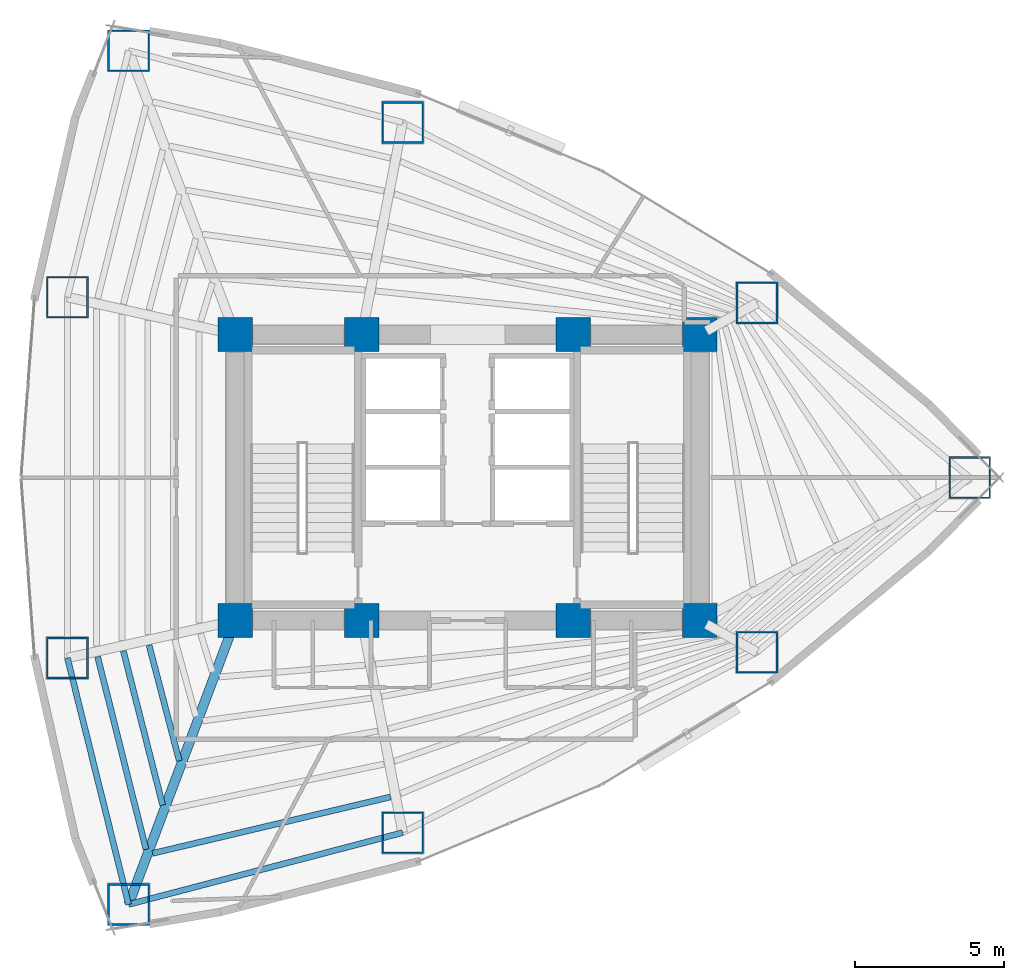
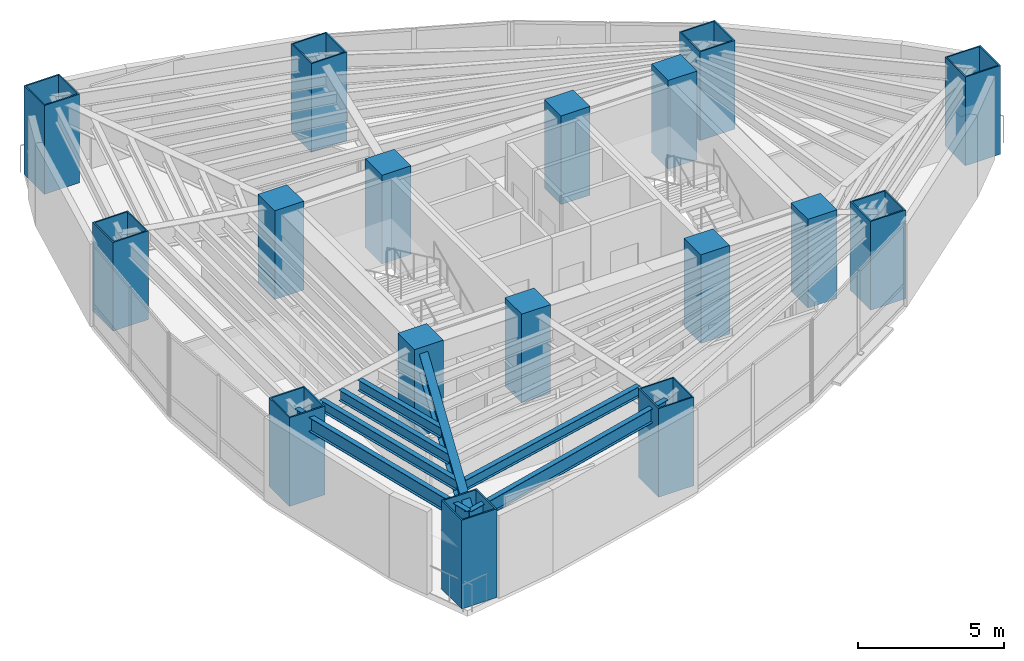
# One storey, part 1 of 18: 17 columns, 7 beams.
"""IFC4 building model written with IfcOpenShell, lengths in metres."""

from ifc_helpers import new_model, si_unit, direction, frame, origin, origin_2d, place, context, subcontext, project, spatial, rectangle, hollow_rectangle, i_section, extrude, material, material_profile, profile_set, type_object, element, save


model = new_model("IFC4")

# Units and contexts
model_context = context("Model", 3, precision=1e-05, world=origin(), true_north=direction((0.0, 1.0)))
body_context = subcontext(model_context, "Body", "Model", "MODEL_VIEW")
ifc_project = project(units=[si_unit("LENGTHUNIT", "METRE"), si_unit("AREAUNIT", "SQUARE_METRE"), si_unit("VOLUMEUNIT", "CUBIC_METRE"), si_unit("PLANEANGLEUNIT", "RADIAN"), si_unit("MASSUNIT", "GRAM", prefix="KILO")], contexts=[model_context])

# Site, building, storey
site_placement = place(None, origin())
site = spatial("IfcSite", under=ifc_project, at=site_placement, CompositionType="ELEMENT")
building_placement = place(site_placement, origin())
building = spatial("IfcBuilding", under=site, at=building_placement, Name="Menara Vayukalpa", CompositionType="ELEMENT")
storey_placement = place(building_placement, frame((0.0, 0.0, 31.320068359375)))
storey = spatial("IfcBuildingStorey", under=building, at=storey_placement, Name="L06", CompositionType="ELEMENT", Elevation=31.320068359375)

# Columns
ifc_material_1 = material(Name="Concrete C80/95", Category="concrete")
ifc_material_profile_1 = material_profile(ifc_material_1, rectangle(XDim=1.14990234375, YDim=1.14990234375, at=origin_2d()), Name="RC 1150x1150")
ifc_profile_set_1 = profile_set([ifc_material_profile_1], Name="Concrete C80/95")
column_type_1 = type_object("IfcColumnType", Name="COL-CC1", PredefinedType="COLUMN", material=ifc_profile_set_1)
for number, where, z_axis, x_axis, name in (
    (1, (17.800048828125, 17.199951171875, 0.0), (0.0, 0.0, 1.0), (1.0, 0.0, 0.0), "L06 Core Pilaster Column CC1"),
    (2, (22.050048828125, 17.199951171875, 0.0), (0.0, 0.0, 1.0), (1.0, 0.0, 0.0), "L06 Core Pilaster Column CC2"),
    (3, (29.14990234375, 17.199951171875, 0.0), (0.0, 0.0, 1.0), (1.0, 0.0, 0.0), "L06 Core Pilaster Column CC3"),
    (4, (33.39990234375, 17.199951171875, 0.0), (0.0, 0.0, 1.0), (1.0, 0.0, 0.0), "L06 Core Pilaster Column CC4"),
    (5, (17.800048828125, 26.800048828125, 0.0), (0.0, 0.0, 1.0), (1.0, 0.0, 0.0), "L06 Core Pilaster Column CC5"),
    (6, (22.050048828125, 26.800048828125, 0.0), (0.0, 0.0, 1.0), (1.0, 0.0, 0.0), "L06 Core Pilaster Column CC6"),
    (7, (29.14990234375, 26.800048828125, 0.0), (0.0, 0.0, 1.0), (1.0, 0.0, 0.0), "L06 Core Pilaster Column CC7"),
    (8, (33.39990234375, 26.800048828125, 0.0), (0.0, 0.0, 1.0), (1.0, 0.0, 0.0), "L06 Core Pilaster Column CC8"),
):
    element("IfcColumn", number, at=place(storey_placement, frame(where, z_axis=z_axis, x_axis=x_axis)), inside=storey, type_object=column_type_1, Name=name, PredefinedType="COLUMN", context=body_context, shape_type="SweptSolid", body=[
        extrude(rectangle(XDim=1.14990234375, YDim=1.14990234375, at=origin_2d()), origin(), (0.0, 0.0, 1.0), 3.719970703125),
    ])
ifc_material_2 = material(Name="Steel S460", Category="steel")
ifc_material_profile_2 = material_profile(ifc_material_2, hollow_rectangle(XDim=1.39990234375, YDim=1.39990234375, WallThickness=0.054931640625, at=origin_2d()), Name="BOX 1400x1400x55")
ifc_profile_set_2 = profile_set([ifc_material_profile_2], Name="Steel S460")
column_type_2 = type_object("IfcColumnType", Name="COL-MC1", PredefinedType="COLUMN", material=ifc_profile_set_2)
for number, where, z_axis, x_axis, name in (
    (9, (42.46484375, 22.0, 0.0), (0.0, 0.0, 1.0), (1.0, 0.0, 0.0), "L06 Perimeter Mega Column P01"),
    (10, (35.318115234375, 27.86328125, 0.0), (0.0, 0.0, 1.0), (1.0, 0.0, 0.0), "L06 Perimeter Mega Column P02"),
    (11, (23.41943359375, 33.9228515625, 0.0), (0.0, 0.0, 1.0), (1.0, 0.0, 0.0), "L06 Perimeter Mega Column P03"),
    (12, (14.217529296875, 36.33447265625, 0.0), (0.0, 0.0, 1.0), (1.0, 0.0, 0.0), "L06 Perimeter Mega Column P04"),
    (13, (12.164306640625, 28.0595703125, 0.0), (0.0, 0.0, 1.0), (1.0, 0.0, 0.0), "L06 Perimeter Mega Column P05"),
    (14, (12.164306640625, 15.9404296875, 0.0), (0.0, 0.0, 1.0), (1.0, 0.0, 0.0), "L06 Perimeter Mega Column P06"),
    (15, (14.217529296875, 7.66552734375, 0.0), (0.0, 0.0, 1.0), (1.0, 0.0, 0.0), "L06 Perimeter Mega Column P07"),
    (16, (23.41943359375, 10.0771484375, 0.0), (0.0, 0.0, 1.0), (1.0, 0.0, 0.0), "L06 Perimeter Mega Column P08"),
    (17, (35.318115234375, 16.13671875, 0.0), (0.0, 0.0, 1.0), (1.0, 0.0, 0.0), "L06 Perimeter Mega Column P09"),
):
    element("IfcColumn", number, at=place(storey_placement, frame(where, z_axis=z_axis, x_axis=x_axis)), inside=storey, type_object=column_type_2, Name=name, PredefinedType="COLUMN", context=body_context, shape_type="SweptSolid", body=[
        extrude(hollow_rectangle(XDim=1.39990234375, YDim=1.39990234375, WallThickness=0.054931640625, at=origin_2d()), origin(), (0.0, 0.0, 1.0), 3.719970703125),
    ])

# Beams
ifc_material_3 = material(Name="Steel S355", Category="steel")
ifc_material_profile_3 = material_profile(ifc_material_3, i_section(OverallWidth=0.320068359375, OverallDepth=0.85009765625, WebThickness=0.01611328125, FlangeThickness=0.030029296875, at=origin_2d()), Name="WF 850x320x16x30")
ifc_profile_set_3 = profile_set([ifc_material_profile_3], Name="Steel S355")
beam_type_1 = type_object("IfcBeamType", Name="BM-PG2", PredefinedType="BEAM", material=ifc_profile_set_3)
beam_1_placement = place(storey_placement, frame((17.712158203125, 16.966064453125, 3.044921875), z_axis=(-0.351734656537, -0.93609974436, 0.0), x_axis=(0.93609974436, -0.351734656537, 0.0)))
element("IfcBeam", 18, at=beam_1_placement, inside=storey, type_object=beam_type_1, Name="L06 Primary Radial Girder RG07", PredefinedType="BEAM", context=body_context, shape_type="SweptSolid", body=[
    extrude(i_section(OverallWidth=0.320068359375, OverallDepth=0.85009765625, WebThickness=0.01611328125, FlangeThickness=0.030029296875, at=origin_2d()), origin(), (0.0, 0.0, 1.0), 9.935302734375),
])
ifc_material_4 = material(Name="Steel S355", Category="steel")
ifc_material_profile_4 = material_profile(ifc_material_4, i_section(OverallWidth=0.199951171875, OverallDepth=0.449951171875, WebThickness=0.009033203125, FlangeThickness=0.013916015625, at=origin_2d()), Name="WF 450x200x9x14")
ifc_profile_set_4 = profile_set([ifc_material_profile_4], Name="Steel S355")
beam_type_2 = type_object("IfcBeamType", Name="BM-SJ1", PredefinedType="JOIST", material=ifc_profile_set_4)
beam_2_placement = place(storey_placement, frame((14.905517578125, 16.368896484375, 3.244873046875), z_axis=(0.25283833468, -0.967508540798, 0.0), x_axis=(0.967508540798, 0.25283833468, 0.0)))
element("IfcBeam", 19, at=beam_2_placement, inside=storey, type_object=beam_type_2, Name="L06 Secondary Floor Joist SJ06-3", PredefinedType="JOIST", context=body_context, shape_type="SweptSolid", body=[
    extrude(i_section(OverallWidth=0.199951171875, OverallDepth=0.449951171875, WebThickness=0.009033203125, FlangeThickness=0.013916015625, at=origin_2d()), origin(), (0.0, 0.0, 1.0), 4.00927734375),
])
beam_3_placement = place(storey_placement, frame((14.0419921875, 16.17578125, 3.244873046875), z_axis=(0.247105572938, -0.968988563309, 0.0), x_axis=(0.968988563309, 0.247105572938, 0.0)))
element("IfcBeam", 20, at=beam_3_placement, inside=storey, type_object=beam_type_2, Name="L06 Secondary Floor Joist SJ06-4", PredefinedType="JOIST", context=body_context, shape_type="SweptSolid", body=[
    extrude(i_section(OverallWidth=0.199951171875, OverallDepth=0.449951171875, WebThickness=0.009033203125, FlangeThickness=0.013916015625, at=origin_2d()), origin(), (0.0, 0.0, 1.0), 5.339111328125),
])
beam_4_placement = place(storey_placement, frame((13.1787109375, 15.982666015625, 3.244873046875), z_axis=(0.243517460774, -0.96989651319, 0.0), x_axis=(0.96989651319, 0.243517460774, 0.0)))
element("IfcBeam", 21, at=beam_4_placement, inside=storey, type_object=beam_type_2, Name="L06 Secondary Floor Joist SJ06-5", PredefinedType="JOIST", context=body_context, shape_type="SweptSolid", body=[
    extrude(i_section(OverallWidth=0.199951171875, OverallDepth=0.449951171875, WebThickness=0.009033203125, FlangeThickness=0.013916015625, at=origin_2d()), origin(), (0.0, 0.0, 1.0), 6.6689453125),
])
beam_5_placement = place(storey_placement, frame((15.021728515625, 9.381103515625, 3.244873046875), z_axis=(0.97303971213, 0.23063763487, 0.0), x_axis=(-0.23063763487, 0.97303971213, 0.0)))
element("IfcBeam", 22, at=beam_5_placement, inside=storey, type_object=beam_type_2, Name="L06 Secondary Floor Joist SJ07-5", PredefinedType="JOIST", context=body_context, shape_type="SweptSolid", body=[
    extrude(i_section(OverallWidth=0.199951171875, OverallDepth=0.449951171875, WebThickness=0.009033203125, FlangeThickness=0.013916015625, at=origin_2d()), origin(), (0.0, 0.0, 1.0), 8.205810546875),
])
ifc_material_5 = material(Name="Steel S355", Category="steel")
ifc_material_profile_5 = material_profile(ifc_material_5, i_section(OverallWidth=0.199951171875, OverallDepth=0.60009765625, WebThickness=0.010986328125, FlangeThickness=0.01708984375, at=origin_2d()), Name="WF 600x200x11x17")
ifc_profile_set_5 = profile_set([ifc_material_profile_5], Name="Steel S355")
beam_type_3 = type_object("IfcBeamType", Name="BM-SP1", PredefinedType="SPANDREL", material=ifc_profile_set_5)
beam_6_placement = place(storey_placement, frame((12.164306640625, 15.9404296875, 3.169921875), z_axis=(0.240823860364, -0.970568837476, 0.0), x_axis=(0.970568837476, 0.240823860364, 0.0)))
element("IfcBeam", 23, at=beam_6_placement, inside=storey, type_object=beam_type_3, Name="L06 Perimeter Spandrel Beam SP06", PredefinedType="SPANDREL", context=body_context, shape_type="SweptSolid", body=[
    extrude(i_section(OverallWidth=0.199951171875, OverallDepth=0.60009765625, WebThickness=0.010986328125, FlangeThickness=0.01708984375, at=origin_2d()), origin(), (0.0, 0.0, 1.0), 8.52587890625),
])
beam_7_placement = place(storey_placement, frame((14.217529296875, 7.66552734375, 3.169921875), z_axis=(0.967331024421, 0.253516644802, 0.0), x_axis=(-0.253516644802, 0.967331024421, 0.0)))
element("IfcBeam", 24, at=beam_7_placement, inside=storey, type_object=beam_type_3, Name="L06 Perimeter Spandrel Beam SP07", PredefinedType="SPANDREL", context=body_context, shape_type="SweptSolid", body=[
    extrude(i_section(OverallWidth=0.199951171875, OverallDepth=0.60009765625, WebThickness=0.010986328125, FlangeThickness=0.01708984375, at=origin_2d()), origin(), (0.0, 0.0, 1.0), 9.5126953125),
])

save(model, "model.ifc")
